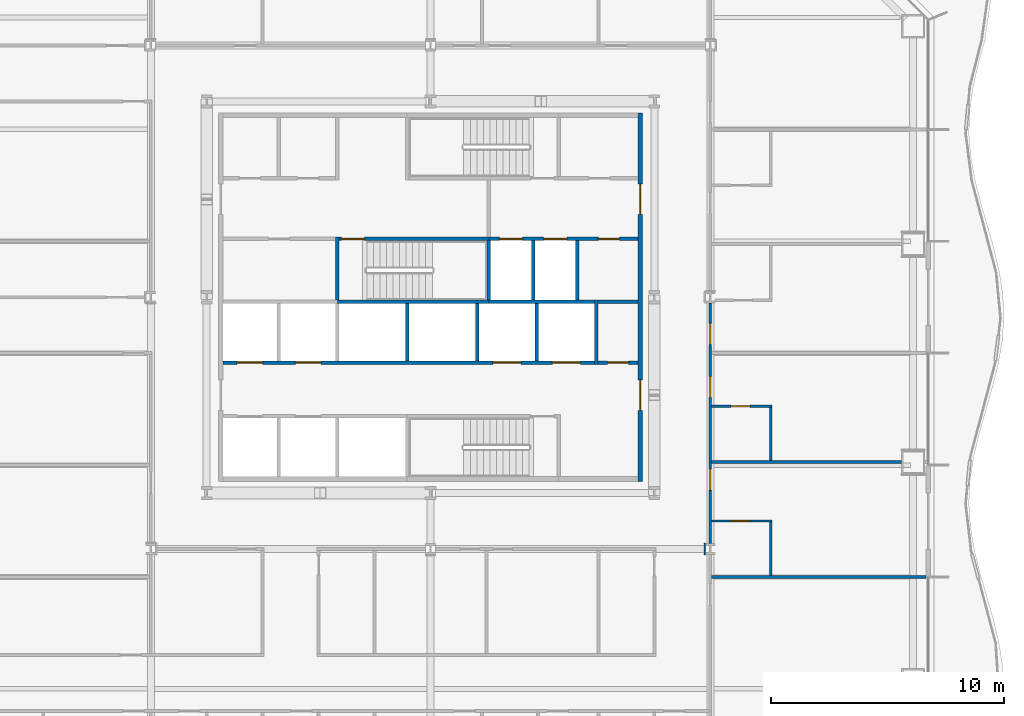
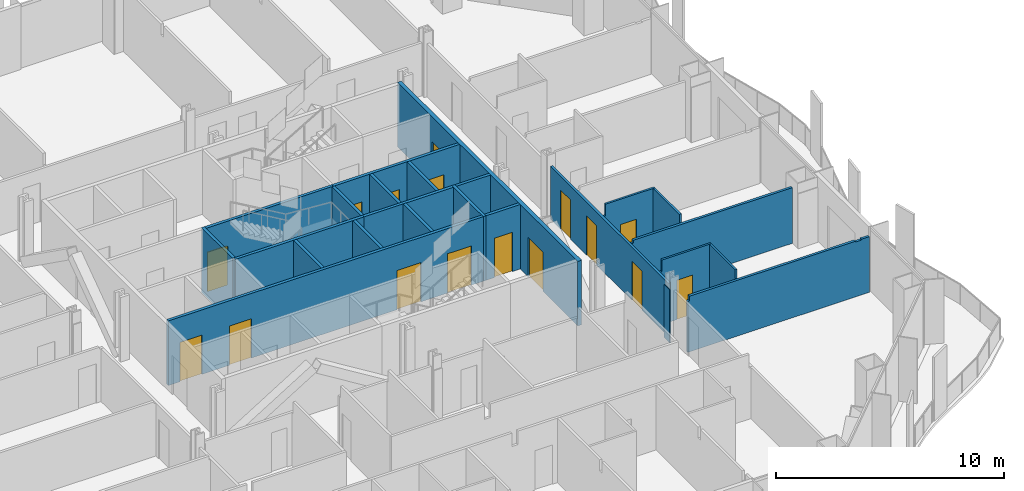
# One storey, part 10 of 21: 24 walls, 16 doors, 16 openings.
"""IFC4 building model written with IfcOpenShell, lengths in metres."""

from ifc_helpers import new_model, si_unit, direction, frame, frame_2d, origin, place, context, subcontext, project, spatial, polyline, rectangle, outline, extrude, material, layer, layer_set, type_object, element, fill, save


model = new_model("IFC4")

# Units and contexts
model_context = context("Model", 3, precision=1e-05, world=origin(), true_north=direction((0.0, 1.0)))
body_context = subcontext(model_context, "Body", "Model", "MODEL_VIEW")
ifc_project = project(units=[si_unit("LENGTHUNIT", "METRE"), si_unit("AREAUNIT", "SQUARE_METRE"), si_unit("VOLUMEUNIT", "CUBIC_METRE"), si_unit("PLANEANGLEUNIT", "RADIAN"), si_unit("MASSUNIT", "GRAM", prefix="KILO")], contexts=[model_context])

# Site, building, storey
site_placement = place(None, origin())
site = spatial("IfcSite", under=ifc_project, at=site_placement, CompositionType="ELEMENT")
building_placement = place(site_placement, origin())
building = spatial("IfcBuilding", under=site, at=building_placement, Name="Cairn Pilgrim Tower", CompositionType="ELEMENT")
storey_placement = place(building_placement, frame((0.0, 0.0, 43.800048828125)))
storey = spatial("IfcBuildingStorey", under=building, at=storey_placement, Name="L08", CompositionType="ELEMENT", Elevation=43.800048828125)

# Wall, openings, doors
ifc_material_1 = material(Name="Concrete C32/40", Category="concrete")
ifc_layer_1 = layer(ifc_material_1, 0.199951171875)
ifc_layer_set_1 = layer_set([ifc_layer_1], Name="CORE OUTER WALL 200 EI 120")
wall_type_1 = type_object("IfcWallType", Name="CORE OUTER WALL 200 EI 120", PredefinedType="SOLIDWALL", material=ifc_layer_set_1)
wall_1_placement = place(storey_placement, frame((16.199951171875, -5.5, 0.0), z_axis=(0.0, 0.0, 1.0), x_axis=(0.0, 1.0, 0.0)))
wall_1 = element("IfcWall", 1, at=wall_1_placement, inside=storey, type_object=wall_type_1, Name="CW:L08:V32", PredefinedType="SOLIDWALL", context=body_context, shape_type="SweptSolid", body=[
    extrude(rectangle(XDim=15.800048828125, YDim=0.199951171875, at=frame_2d((7.89990234375, 0.0))), origin(), (0.0, 0.0, 1.0), 3.449951171875),
])
opening_1_placement = place(wall_1_placement, frame((3.050048828125, 0.0, 0.0)))
opening_1 = element("IfcOpeningElement", 2, at=opening_1_placement, cuts=wall_1, Name="Opening CD-E1", PredefinedType="OPENING", context=body_context, shape_type="SweptSolid", body=[
    extrude(rectangle(XDim=1.300048828125, YDim=2.10009765625, at=frame_2d((0.64990234375, 1.050048828125))), frame((0.0, 0.10986328125, 0.0), z_axis=(0.0, -1.0, 0.0), x_axis=(1.0, 0.0, 0.0)), (0.0, 0.0, 1.0), 0.219970703125),
])
opening_2_placement = place(wall_1_placement, frame((11.449951171875, 0.0, 0.0)))
opening_2 = element("IfcOpeningElement", 3, at=opening_2_placement, cuts=wall_1, Name="Opening CD-E2", PredefinedType="OPENING", context=body_context, shape_type="SweptSolid", body=[
    extrude(rectangle(XDim=1.300048828125, YDim=2.10009765625, at=frame_2d((0.64990234375, 1.050048828125))), frame((0.0, 0.10986328125, 0.0), z_axis=(0.0, -1.0, 0.0), x_axis=(1.0, 0.0, 0.0)), (0.0, 0.0, 1.0), 0.219970703125),
])
ifc_material_2 = material(Name="Painted steel", Category="steel")
door_type_1 = type_object("IfcDoorType", Name="CORE LOBBY DOOR 1300x2100", OperationType="DOUBLE_DOOR_SINGLE_SWING", PredefinedType="DOOR", material=ifc_material_2)
door_1_placement = place(opening_1_placement, origin())
door_1 = element("IfcDoor", 4, at=door_1_placement, inside=storey, type_object=door_type_1, Name="CD-E1", OperationType="DOUBLE_DOOR_SINGLE_SWING", OverallHeight=2.10009765625, OverallWidth=1.300048828125, PredefinedType="DOOR", context=body_context, shape_type="SweptSolid", body=[
    extrude(rectangle(XDim=1.300048828125, YDim=2.10009765625, at=frame_2d((0.64990234375, 1.050048828125))), frame((0.0, 0.02490234375, 0.0), z_axis=(0.0, -1.0, 0.0), x_axis=(1.0, 0.0, 0.0)), (0.0, 0.0, 1.0), 0.050048828125),
])
fill(opening_1, door_1)
door_2_placement = place(opening_2_placement, origin())
door_2 = element("IfcDoor", 5, at=door_2_placement, inside=storey, type_object=door_type_1, Name="CD-E2", OperationType="DOUBLE_DOOR_SINGLE_SWING", OverallHeight=2.10009765625, OverallWidth=1.300048828125, PredefinedType="DOOR", context=body_context, shape_type="SweptSolid", body=[
    extrude(rectangle(XDim=1.300048828125, YDim=2.10009765625, at=frame_2d((0.64990234375, 1.050048828125))), frame((0.0, 0.02490234375, 0.0), z_axis=(0.0, -1.0, 0.0), x_axis=(1.0, 0.0, 0.0)), (0.0, 0.0, 1.0), 0.050048828125),
])
fill(opening_2, door_2)

# Wall, opening, door
ifc_layer_2 = layer(ifc_material_1, 0.14990234375)
ifc_layer_set_2 = layer_set([ifc_layer_2], Name="CORE PARTITION 150 EI 60")
wall_type_2 = type_object("IfcWallType", Name="CORE PARTITION 150 EI 60", PredefinedType="PARTITIONING", material=ifc_layer_set_2)
wall_2_placement = place(storey_placement, frame((14.375, -0.39990234375, 0.0), z_axis=(0.0, 0.0, 1.0), x_axis=(1.0, 0.0, 0.0)))
wall_2 = element("IfcWall", 6, at=wall_2_placement, inside=storey, type_object=wall_type_2, Name="CW:L08:H04", PredefinedType="PARTITIONING", context=body_context, shape_type="SweptSolid", body=[
    extrude(rectangle(XDim=1.72509765625, YDim=0.14990234375, at=frame_2d((0.862548828125, 0.0))), origin(), (0.0, 0.0, 1.0), 3.449951171875),
])
opening_3_placement = place(wall_2_placement, frame((0.425048828125, 0.0, 0.0)))
opening_3 = element("IfcOpeningElement", 7, at=opening_3_placement, cuts=wall_2, Name="Opening RD-R2E", PredefinedType="OPENING", context=body_context, shape_type="SweptSolid", body=[
    extrude(rectangle(XDim=0.89990234375, YDim=2.10009765625, at=frame_2d((0.449951171875, 1.050048828125))), frame((0.0, 0.0849609375, 0.0), z_axis=(0.0, -1.0, 0.0), x_axis=(1.0, 0.0, 0.0)), (0.0, 0.0, 1.0), 0.169921875),
])
door_type_2 = type_object("IfcDoorType", Name="SERVICE ROOM DOOR 900x2100", OperationType="SINGLE_SWING_LEFT", PredefinedType="DOOR", material=ifc_material_2)
door_3_placement = place(opening_3_placement, origin())
door_3 = element("IfcDoor", 8, at=door_3_placement, inside=storey, type_object=door_type_2, Name="RD-R2E", OperationType="SINGLE_SWING_RIGHT", OverallHeight=2.10009765625, OverallWidth=0.89990234375, PredefinedType="DOOR", context=body_context, shape_type="SweptSolid", body=[
    extrude(rectangle(XDim=0.89990234375, YDim=2.10009765625, at=frame_2d((0.449951171875, 1.050048828125))), frame((0.0, 0.02490234375, 0.0), z_axis=(0.0, -1.0, 0.0), x_axis=(1.0, 0.0, 0.0)), (0.0, 0.0, 1.0), 0.050048828125),
])
fill(opening_3, door_3)

# Wall
wall_3_placement = place(storey_placement, frame((14.375, 2.199951171875, 0.0), z_axis=(0.0, 0.0, 1.0), x_axis=(1.0, 0.0, 0.0)))
element("IfcWall", 9, at=wall_3_placement, inside=storey, type_object=wall_type_2, Name="CW:L08:H06", PredefinedType="PARTITIONING", context=body_context, shape_type="SweptSolid", body=[
    extrude(rectangle(XDim=1.72509765625, YDim=0.14990234375, at=frame_2d((0.862548828125, 0.0))), origin(), (0.0, 0.0, 1.0), 3.449951171875),
])

# Wall, openings, doors
ifc_layer_3 = layer(ifc_material_1, 0.14990234375)
ifc_layer_set_3 = layer_set([ifc_layer_3], Name="CORE SHAFT WALL 150 EI 120")
wall_type_3 = type_object("IfcWallType", Name="CORE SHAFT WALL 150 EI 120", PredefinedType="SOLIDWALL", material=ifc_layer_set_3)
wall_4_placement = place(storey_placement, frame((-1.699951171875, -0.39990234375, 0.0), z_axis=(0.0, 0.0, 1.0), x_axis=(1.0, 0.0, 0.0)))
wall_4 = element("IfcWall", 10, at=wall_4_placement, inside=storey, type_object=wall_type_3, Name="CW:L08:H03", PredefinedType="SOLIDWALL", context=body_context, shape_type="SweptSolid", body=[
    extrude(rectangle(XDim=15.925048828125, YDim=0.14990234375, at=frame_2d((7.96240234375, 0.0))), origin(), (0.0, 0.0, 1.0), 3.449951171875),
])
opening_4_placement = place(wall_4_placement, frame((0.60009765625, 0.0, 0.0)))
opening_4 = element("IfcOpeningElement", 11, at=opening_4_placement, cuts=wall_4, Name="Opening LD-LR3", PredefinedType="OPENING", context=body_context, shape_type="SweptSolid", body=[
    extrude(rectangle(XDim=1.10009765625, YDim=2.10009765625, at=frame_2d((0.550048828125, 1.050048828125))), frame((0.0, 0.0849609375, 0.0), z_axis=(0.0, -1.0, 0.0), x_axis=(1.0, 0.0, 0.0)), (0.0, 0.0, 1.0), 0.169921875),
])
opening_5_placement = place(wall_4_placement, frame((3.10009765625, 0.0, 0.0)))
opening_5 = element("IfcOpeningElement", 12, at=opening_5_placement, cuts=wall_4, Name="Opening LD-LR4", PredefinedType="OPENING", context=body_context, shape_type="SweptSolid", body=[
    extrude(rectangle(XDim=1.10009765625, YDim=2.10009765625, at=frame_2d((0.550048828125, 1.050048828125))), frame((0.0, 0.0849609375, 0.0), z_axis=(0.0, -1.0, 0.0), x_axis=(1.0, 0.0, 0.0)), (0.0, 0.0, 1.0), 0.169921875),
])
opening_6_placement = place(wall_4_placement, frame((11.574951171875, 0.0, 0.0)))
opening_6 = element("IfcOpeningElement", 13, at=opening_6_placement, cuts=wall_4, Name="Opening LD-SV1", PredefinedType="OPENING", context=body_context, shape_type="SweptSolid", body=[
    extrude(rectangle(XDim=1.199951171875, YDim=2.10009765625, at=frame_2d((0.60009765625, 1.050048828125))), frame((0.0, 0.0849609375, 0.0), z_axis=(0.0, -1.0, 0.0), x_axis=(1.0, 0.0, 0.0)), (0.0, 0.0, 1.0), 0.169921875),
])
opening_7_placement = place(wall_4_placement, frame((14.125, 0.0, 0.0)))
opening_7 = element("IfcOpeningElement", 14, at=opening_7_placement, cuts=wall_4, Name="Opening LD-SV2", PredefinedType="OPENING", context=body_context, shape_type="SweptSolid", body=[
    extrude(rectangle(XDim=1.199951171875, YDim=2.10009765625, at=frame_2d((0.60009765625, 1.050048828125))), frame((0.0, 0.0849609375, 0.0), z_axis=(0.0, -1.0, 0.0), x_axis=(1.0, 0.0, 0.0)), (0.0, 0.0, 1.0), 0.169921875),
])
ifc_material_3 = material(Name="Stainless steel", Category="steel")
door_type_3 = type_object("IfcDoorType", Name="LIFT LANDING DOOR 1100x2100", OperationType="DOUBLE_DOOR_SLIDING", PredefinedType="DOOR", material=ifc_material_3)
door_4_placement = place(opening_4_placement, origin())
door_4 = element("IfcDoor", 15, at=door_4_placement, inside=storey, type_object=door_type_3, Name="LANDING DOOR LR3", OperationType="DOUBLE_DOOR_SLIDING", OverallHeight=2.10009765625, OverallWidth=1.10009765625, PredefinedType="DOOR", context=body_context, shape_type="SweptSolid", body=[
    extrude(rectangle(XDim=1.10009765625, YDim=2.10009765625, at=frame_2d((0.550048828125, 1.050048828125))), frame((0.0, 0.02490234375, 0.0), z_axis=(0.0, -1.0, 0.0), x_axis=(1.0, 0.0, 0.0)), (0.0, 0.0, 1.0), 0.050048828125),
])
fill(opening_4, door_4)
door_5_placement = place(opening_5_placement, origin())
door_5 = element("IfcDoor", 16, at=door_5_placement, inside=storey, type_object=door_type_3, Name="LANDING DOOR LR4", OperationType="DOUBLE_DOOR_SLIDING", OverallHeight=2.10009765625, OverallWidth=1.10009765625, PredefinedType="DOOR", context=body_context, shape_type="SweptSolid", body=[
    extrude(rectangle(XDim=1.10009765625, YDim=2.10009765625, at=frame_2d((0.550048828125, 1.050048828125))), frame((0.0, 0.02490234375, 0.0), z_axis=(0.0, -1.0, 0.0), x_axis=(1.0, 0.0, 0.0)), (0.0, 0.0, 1.0), 0.050048828125),
])
fill(opening_5, door_5)
door_type_4 = type_object("IfcDoorType", Name="LIFT LANDING DOOR 1200x2100", OperationType="DOUBLE_DOOR_SLIDING", PredefinedType="DOOR", material=ifc_material_3)
door_6_placement = place(opening_6_placement, origin())
door_6 = element("IfcDoor", 17, at=door_6_placement, inside=storey, type_object=door_type_4, Name="LANDING DOOR SV1", OperationType="DOUBLE_DOOR_SLIDING", OverallHeight=2.10009765625, OverallWidth=1.199951171875, PredefinedType="DOOR", context=body_context, shape_type="SweptSolid", body=[
    extrude(rectangle(XDim=1.199951171875, YDim=2.10009765625, at=frame_2d((0.60009765625, 1.050048828125))), frame((0.0, 0.02490234375, 0.0), z_axis=(0.0, -1.0, 0.0), x_axis=(1.0, 0.0, 0.0)), (0.0, 0.0, 1.0), 0.050048828125),
])
fill(opening_6, door_6)
door_7_placement = place(opening_7_placement, origin())
door_7 = element("IfcDoor", 18, at=door_7_placement, inside=storey, type_object=door_type_4, Name="LANDING DOOR SV2", OperationType="DOUBLE_DOOR_SLIDING", OverallHeight=2.10009765625, OverallWidth=1.199951171875, PredefinedType="DOOR", context=body_context, shape_type="SweptSolid", body=[
    extrude(rectangle(XDim=1.199951171875, YDim=2.10009765625, at=frame_2d((0.60009765625, 1.050048828125))), frame((0.0, 0.02490234375, 0.0), z_axis=(0.0, -1.0, 0.0), x_axis=(1.0, 0.0, 0.0)), (0.0, 0.0, 1.0), 0.050048828125),
])
fill(opening_7, door_7)

# Wall
wall_5_placement = place(storey_placement, frame((9.699951171875, 2.199951171875, 0.0), z_axis=(0.0, 0.0, 1.0), x_axis=(1.0, 0.0, 0.0)))
element("IfcWall", 19, at=wall_5_placement, inside=storey, type_object=wall_type_3, Name="CW:L08:H05-3", PredefinedType="SOLIDWALL", context=body_context, shape_type="SweptSolid", body=[
    extrude(rectangle(XDim=4.525146484375, YDim=0.14990234375, at=frame_2d((2.2626953125, 0.0))), origin(), (0.0, 0.0, 1.0), 3.449951171875),
])

# Wall, openings, doors
wall_6_placement = place(storey_placement, frame((9.699951171875, 4.89990234375, 0.0), z_axis=(0.0, 0.0, 1.0), x_axis=(1.0, 0.0, 0.0)))
wall_6 = element("IfcWall", 20, at=wall_6_placement, inside=storey, type_object=wall_type_3, Name="CW:L08:H08-2", PredefinedType="SOLIDWALL", context=body_context, shape_type="SweptSolid", body=[
    extrude(rectangle(XDim=6.400146484375, YDim=0.14990234375, at=frame_2d((3.2001953125, 0.0))), origin(), (0.0, 0.0, 1.0), 3.449951171875),
])
opening_8_placement = place(wall_6_placement, frame((0.449951171875, 0.0, 0.0)))
opening_8 = element("IfcOpeningElement", 21, at=opening_8_placement, cuts=wall_6, Name="Opening LD-FF1", PredefinedType="OPENING", context=body_context, shape_type="SweptSolid", body=[
    extrude(rectangle(XDim=1.0, YDim=2.10009765625, at=frame_2d((0.5, 1.050048828125))), frame((0.0, 0.0849609375, 0.0), z_axis=(0.0, -1.0, 0.0), x_axis=(1.0, 0.0, 0.0)), (0.0, 0.0, 1.0), 0.169921875),
])
opening_9_placement = place(wall_6_placement, frame((2.35009765625, 0.0, 0.0)))
opening_9 = element("IfcOpeningElement", 22, at=opening_9_placement, cuts=wall_6, Name="Opening LD-FF2", PredefinedType="OPENING", context=body_context, shape_type="SweptSolid", body=[
    extrude(rectangle(XDim=1.0, YDim=2.10009765625, at=frame_2d((0.5, 1.050048828125))), frame((0.0, 0.0849609375, 0.0), z_axis=(0.0, -1.0, 0.0), x_axis=(1.0, 0.0, 0.0)), (0.0, 0.0, 1.0), 0.169921875),
])
opening_10_placement = place(wall_6_placement, frame((4.699951171875, 0.0, 0.0)))
opening_10 = element("IfcOpeningElement", 23, at=opening_10_placement, cuts=wall_6, Name="Opening RD-R3E", PredefinedType="OPENING", context=body_context, shape_type="SweptSolid", body=[
    extrude(rectangle(XDim=0.89990234375, YDim=2.10009765625, at=frame_2d((0.449951171875, 1.050048828125))), frame((0.0, 0.0849609375, 0.0), z_axis=(0.0, -1.0, 0.0), x_axis=(1.0, 0.0, 0.0)), (0.0, 0.0, 1.0), 0.169921875),
])
door_type_5 = type_object("IfcDoorType", Name="LIFT LANDING DOOR FIRE 1000x2100", OperationType="DOUBLE_DOOR_SLIDING", PredefinedType="DOOR", material=ifc_material_3)
door_8_placement = place(opening_8_placement, origin())
door_8 = element("IfcDoor", 24, at=door_8_placement, inside=storey, type_object=door_type_5, Name="LANDING DOOR FF1", OperationType="DOUBLE_DOOR_SLIDING", OverallHeight=2.10009765625, OverallWidth=1.0, PredefinedType="DOOR", context=body_context, shape_type="SweptSolid", body=[
    extrude(rectangle(XDim=1.0, YDim=2.10009765625, at=frame_2d((0.5, 1.050048828125))), frame((0.0, 0.02490234375, 0.0), z_axis=(0.0, -1.0, 0.0), x_axis=(1.0, 0.0, 0.0)), (0.0, 0.0, 1.0), 0.050048828125),
])
fill(opening_8, door_8)
door_9_placement = place(opening_9_placement, origin())
door_9 = element("IfcDoor", 25, at=door_9_placement, inside=storey, type_object=door_type_5, Name="LANDING DOOR FF2", OperationType="DOUBLE_DOOR_SLIDING", OverallHeight=2.10009765625, OverallWidth=1.0, PredefinedType="DOOR", context=body_context, shape_type="SweptSolid", body=[
    extrude(rectangle(XDim=1.0, YDim=2.10009765625, at=frame_2d((0.5, 1.050048828125))), frame((0.0, 0.02490234375, 0.0), z_axis=(0.0, -1.0, 0.0), x_axis=(1.0, 0.0, 0.0)), (0.0, 0.0, 1.0), 0.050048828125),
])
fill(opening_9, door_9)
door_10_placement = place(opening_10_placement, origin())
door_10 = element("IfcDoor", 26, at=door_10_placement, inside=storey, type_object=door_type_2, Name="RD-R3E", OperationType="SINGLE_SWING_LEFT", OverallHeight=2.10009765625, OverallWidth=0.89990234375, PredefinedType="DOOR", context=body_context, shape_type="SweptSolid", body=[
    extrude(rectangle(XDim=0.89990234375, YDim=2.10009765625, at=frame_2d((0.449951171875, 1.050048828125))), frame((0.0, 0.02490234375, 0.0), z_axis=(0.0, -1.0, 0.0), x_axis=(1.0, 0.0, 0.0)), (0.0, 0.0, 1.0), 0.050048828125),
])
fill(opening_10, door_10)

# Walls
for number, where, z_axis, x_axis, name in (
    (27, (6.199951171875, -0.324951171875, 0.0), (0.0, 0.0, 1.0), (0.0, 1.0, 0.0), "CW:L08:V21"),
    (28, (9.199951171875, -0.324951171875, 0.0), (0.0, 0.0, 1.0), (0.0, 1.0, 0.0), "CW:L08:V23"),
):
    element("IfcWall", number, at=place(storey_placement, frame(where, z_axis=z_axis, x_axis=x_axis)), inside=storey, type_object=wall_type_3, Name=name, PredefinedType="SOLIDWALL", context=body_context, shape_type="SweptSolid", body=[
        extrude(rectangle(XDim=2.449951171875, YDim=0.14990234375, at=frame_2d((1.22509765625, 0.0))), origin(), (0.0, 0.0, 1.0), 3.449951171875),
    ])
wall_7_placement = place(storey_placement, frame((11.60009765625, 2.27490234375, 0.0), z_axis=(0.0, 0.0, 1.0), x_axis=(0.0, 1.0, 0.0)))
element("IfcWall", 29, at=wall_7_placement, inside=storey, type_object=wall_type_3, Name="CW:L08:V26", PredefinedType="SOLIDWALL", context=body_context, shape_type="SweptSolid", body=[
    extrude(rectangle(XDim=2.550048828125, YDim=0.14990234375, at=frame_2d((1.27490234375, 0.0))), origin(), (0.0, 0.0, 1.0), 3.449951171875),
])
wall_8_placement = place(storey_placement, frame((11.75, -0.324951171875, 0.0), z_axis=(0.0, 0.0, 1.0), x_axis=(0.0, 1.0, 0.0)))
element("IfcWall", 30, at=wall_8_placement, inside=storey, type_object=wall_type_3, Name="CW:L08:V27", PredefinedType="SOLIDWALL", context=body_context, shape_type="SweptSolid", body=[
    extrude(rectangle(XDim=2.449951171875, YDim=0.14990234375, at=frame_2d((1.22509765625, 0.0))), origin(), (0.0, 0.0, 1.0), 3.449951171875),
])
wall_9_placement = place(storey_placement, frame((13.5, 2.27490234375, 0.0), z_axis=(0.0, 0.0, 1.0), x_axis=(0.0, 1.0, 0.0)))
element("IfcWall", 31, at=wall_9_placement, inside=storey, type_object=wall_type_3, Name="CW:L08:V30", PredefinedType="SOLIDWALL", context=body_context, shape_type="SweptSolid", body=[
    extrude(rectangle(XDim=2.550048828125, YDim=0.14990234375, at=frame_2d((1.27490234375, 0.0))), origin(), (0.0, 0.0, 1.0), 3.449951171875),
])
wall_10_placement = place(storey_placement, frame((14.300048828125, -0.47509765625, 0.0), z_axis=(0.0, 0.0, 1.0), x_axis=(0.0, 1.0, 0.0)))
element("IfcWall", 32, at=wall_10_placement, inside=storey, type_object=wall_type_3, Name="CW:L08:V31", PredefinedType="SOLIDWALL", context=body_context, shape_type="SweptSolid", body=[
    extrude(rectangle(XDim=2.75, YDim=0.14990234375, at=frame_2d((1.375, 0.0))), origin(), (0.0, 0.0, 1.0), 3.449951171875),
])
ifc_material_4 = material(Name="Gypsum partition")
ifc_layer_4 = layer(ifc_material_4, 0.10009765625)
ifc_layer_set_4 = layer_set([ifc_layer_4], Name="PARTITION 100 DRYWALL")
wall_type_4 = type_object("IfcWallType", Name="PARTITION 100 DRYWALL", PredefinedType="PARTITIONING", material=ifc_layer_set_4)
wall_11_placement = place(storey_placement, frame((21.800048828125, -9.53759765625, 0.0), z_axis=(0.0, 0.0, 1.0), x_axis=(0.0, 1.0, 0.0)))
element("IfcWall", 33, at=wall_11_placement, inside=storey, type_object=wall_type_4, Name="PARTITION W038", PredefinedType="PARTITIONING", context=body_context, shape_type="SweptSolid", body=[
    extrude(outline(polyline([(0.0, 0.0), (2.28759765625, 0.0), (2.28759765625, 3.449951171875), (0.032470703125, 3.449951171875), (0.030517578125, 2.97998046875), (0.0, 2.97998046875), (0.0, 0.0)])), frame((0.0, 0.050048828125, 0.0), z_axis=(0.0, -1.0, 0.0), x_axis=(1.0, 0.0, 0.0)), (0.0, 0.0, 1.0), 0.10009765625),
])

# Wall, opening, door
wall_12_placement = place(storey_placement, frame((19.262451171875, -7.199951171875, 0.0), z_axis=(0.0, 0.0, 1.0), x_axis=(1.0, 0.0, 0.0)))
wall_12 = element("IfcWall", 34, at=wall_12_placement, inside=storey, type_object=wall_type_4, Name="PARTITION W045", PredefinedType="PARTITIONING", context=body_context, shape_type="SweptSolid", body=[
    extrude(outline(polyline([(0.0, 0.0), (2.587646484375, 0.0), (2.58740234375, 3.449951171875), (0.08740234375, 3.449951171875), (0.08544921875, 2.829833984375), (0.0, 2.829833984375), (0.0, 0.0)])), frame((0.0, 0.050048828125, 0.0), z_axis=(0.0, -1.0, 0.0), x_axis=(1.0, 0.0, 0.0)), (0.0, 0.0, 1.0), 0.10009765625),
])
opening_11_placement = place(wall_12_placement, frame((0.83740234375, 0.0, 0.0)))
opening_11 = element("IfcOpeningElement", 35, at=opening_11_placement, cuts=wall_12, Name="Opening 0822E", PredefinedType="OPENING", context=body_context, shape_type="SweptSolid", body=[
    extrude(rectangle(XDim=0.800048828125, YDim=2.10009765625, at=frame_2d((0.39990234375, 1.050048828125))), frame((0.0, 0.06005859375, 0.0), z_axis=(0.0, -1.0, 0.0), x_axis=(1.0, 0.0, 0.0)), (0.0, 0.0, 1.0), 0.1201171875),
])
ifc_material_5 = material(Name="Timber door leaf", Category="wood")
door_type_6 = type_object("IfcDoorType", Name="DOOR 800x2100", OperationType="NOTDEFINED", PredefinedType="DOOR", material=ifc_material_5)
door_11_placement = place(opening_11_placement, frame((0.800048828125, 0.0, 0.0), z_axis=(0.0, 0.0, 1.0), x_axis=(-1.0, 0.0, 0.0)))
door_11 = element("IfcDoor", 36, at=door_11_placement, inside=storey, type_object=door_type_6, Name="DOOR 0822E", OperationType="SINGLE_SWING_RIGHT", OverallHeight=2.10009765625, OverallWidth=0.800048828125, PredefinedType="DOOR", context=body_context, shape_type="SweptSolid", body=[
    extrude(rectangle(XDim=0.800048828125, YDim=2.10009765625, at=frame_2d((0.39990234375, 1.050048828125))), frame((0.0, 0.02490234375, 0.0), z_axis=(0.0, -1.0, 0.0), x_axis=(1.0, 0.0, 0.0)), (0.0, 0.0, 1.0), 0.050048828125),
])
fill(opening_11, door_11)

# Wall
wall_13_placement = place(storey_placement, frame((21.800048828125, -4.613525390625, 0.0), z_axis=(0.0, 0.0, 1.0), x_axis=(0.0, 1.0, 0.0)))
element("IfcWall", 37, at=wall_13_placement, inside=storey, type_object=wall_type_4, Name="PARTITION W051", PredefinedType="PARTITIONING", context=body_context, shape_type="SweptSolid", body=[
    extrude(rectangle(XDim=2.28759765625, YDim=0.10009765625, at=frame_2d((1.143798828125, 0.0))), origin(), (0.0, 0.0, 1.0), 3.449951171875),
])

# Wall, opening, door
wall_14_placement = place(storey_placement, frame((19.262451171875, -2.27587890625, 0.0), z_axis=(0.0, 0.0, 1.0), x_axis=(1.0, 0.0, 0.0)))
wall_14 = element("IfcWall", 38, at=wall_14_placement, inside=storey, type_object=wall_type_4, Name="PARTITION W052", PredefinedType="PARTITIONING", context=body_context, shape_type="SweptSolid", body=[
    extrude(outline(polyline([(0.0, 0.0), (2.587646484375, 0.0), (2.58740234375, 3.449951171875), (0.08740234375, 3.449951171875), (0.08544921875, 2.829833984375), (0.0, 2.829833984375), (0.0, 0.0)])), frame((0.0, 0.050048828125, 0.0), z_axis=(0.0, -1.0, 0.0), x_axis=(1.0, 0.0, 0.0)), (0.0, 0.0, 1.0), 0.10009765625),
])
opening_12_placement = place(wall_14_placement, frame((0.83740234375, 0.0, 0.0)))
opening_12 = element("IfcOpeningElement", 39, at=opening_12_placement, cuts=wall_14, Name="Opening 0823E", PredefinedType="OPENING", context=body_context, shape_type="SweptSolid", body=[
    extrude(rectangle(XDim=0.800048828125, YDim=2.10009765625, at=frame_2d((0.39990234375, 1.050048828125))), frame((0.0, 0.06005859375, 0.0), z_axis=(0.0, -1.0, 0.0), x_axis=(1.0, 0.0, 0.0)), (0.0, 0.0, 1.0), 0.1201171875),
])
door_12_placement = place(opening_12_placement, frame((0.800048828125, 0.0, 0.0), z_axis=(0.0, 0.0, 1.0), x_axis=(-1.0, 0.0, 0.0)))
door_12 = element("IfcDoor", 40, at=door_12_placement, inside=storey, type_object=door_type_6, Name="DOOR 0823E", OperationType="SINGLE_SWING_RIGHT", OverallHeight=2.10009765625, OverallWidth=0.800048828125, PredefinedType="DOOR", context=body_context, shape_type="SweptSolid", body=[
    extrude(rectangle(XDim=0.800048828125, YDim=2.10009765625, at=frame_2d((0.39990234375, 1.050048828125))), frame((0.0, 0.02490234375, 0.0), z_axis=(0.0, -1.0, 0.0), x_axis=(1.0, 0.0, 0.0)), (0.0, 0.0, 1.0), 0.050048828125),
])
fill(opening_12, door_12)

# Wall
ifc_layer_5 = layer(ifc_material_4, 0.125)
ifc_layer_set_5 = layer_set([ifc_layer_5], Name="PARTITION 125 DRYWALL EI 60")
wall_type_5 = type_object("IfcWallType", Name="PARTITION 125 DRYWALL EI 60", PredefinedType="PARTITIONING", material=ifc_layer_set_5)
wall_15_placement = place(storey_placement, frame((19.262451171875, -9.60009765625, 0.0), z_axis=(0.0, 0.0, 1.0), x_axis=(1.0, 0.0, 0.0)))
element("IfcWall", 41, at=wall_15_placement, inside=storey, type_object=wall_type_5, Name="PARTITION W037", PredefinedType="PARTITIONING", context=body_context, shape_type="SweptSolid", body=[
    extrude(outline(polyline([(0.0, 0.0), (9.1875, 0.0), (9.1875, 2.97998046875), (8.78759765625, 2.97998046875), (8.785400390625, 2.929931640625), (8.487548828125, 2.929931640625), (8.485595703125, 2.97998046875), (0.08740234375, 2.97998046875), (0.08544921875, 2.72998046875), (0.0, 2.72998046875), (0.0, 0.0)])), frame((0.0, 0.0625, 0.0), z_axis=(0.0, -1.0, 0.0), x_axis=(1.0, 0.0, 0.0)), (0.0, 0.0, 1.0), 0.125),
])

# Wall, openings, doors
wall_16_placement = place(storey_placement, frame((19.199951171875, -8.1630859375, 0.0), z_axis=(0.0, 0.0, 1.0), x_axis=(0.0, 1.0, 0.0)))
wall_16 = element("IfcWall", 42, at=wall_16_placement, inside=storey, type_object=wall_type_5, Name="PARTITION W044", PredefinedType="PARTITIONING", context=body_context, shape_type="SweptSolid", body=[
    extrude(rectangle(XDim=10.326171875, YDim=0.125, at=frame_2d((5.1630859375, 0.0))), origin(), (0.0, 0.0, 1.0), 2.829833984375),
])
opening_13_placement = place(wall_16_placement, frame((2.287109375, 0.0, 0.0)))
opening_13 = element("IfcOpeningElement", 43, at=opening_13_placement, cuts=wall_16, Name="Opening 0822", PredefinedType="OPENING", context=body_context, shape_type="SweptSolid", body=[
    extrude(rectangle(XDim=0.89990234375, YDim=2.10009765625, at=frame_2d((0.449951171875, 1.050048828125))), frame((0.0, 0.072509765625, 0.0), z_axis=(0.0, -1.0, 0.0), x_axis=(1.0, 0.0, 0.0)), (0.0, 0.0, 1.0), 0.14501953125),
])
opening_14_placement = place(wall_16_placement, frame((6.262939453125, 0.0, 0.0)))
opening_14 = element("IfcOpeningElement", 44, at=opening_14_placement, cuts=wall_16, Name="Opening 0823", PredefinedType="OPENING", context=body_context, shape_type="SweptSolid", body=[
    extrude(rectangle(XDim=0.89990234375, YDim=2.10009765625, at=frame_2d((0.449951171875, 1.050048828125))), frame((0.0, 0.072509765625, 0.0), z_axis=(0.0, -1.0, 0.0), x_axis=(1.0, 0.0, 0.0)), (0.0, 0.0, 1.0), 0.14501953125),
])
opening_15_placement = place(wall_16_placement, frame((8.5390625, 0.0, 0.0)))
opening_15 = element("IfcOpeningElement", 45, at=opening_15_placement, cuts=wall_16, Name="Opening 0824", PredefinedType="OPENING", context=body_context, shape_type="SweptSolid", body=[
    extrude(rectangle(XDim=0.89990234375, YDim=2.10009765625, at=frame_2d((0.449951171875, 1.050048828125))), frame((0.0, 0.072509765625, 0.0), z_axis=(0.0, -1.0, 0.0), x_axis=(1.0, 0.0, 0.0)), (0.0, 0.0, 1.0), 0.14501953125),
])
ifc_material_6 = material(Name="Steel-faced fire door leaf", Category="steel")
door_type_7 = type_object("IfcDoorType", Name="FIRE DOOR 900x2100 FD30S", OperationType="NOTDEFINED", PredefinedType="DOOR", material=ifc_material_6)
door_13_placement = place(opening_13_placement, frame((0.89990234375, 0.0, 0.0), z_axis=(0.0, 0.0, 1.0), x_axis=(-1.0, 0.0, 0.0)))
door_13 = element("IfcDoor", 46, at=door_13_placement, inside=storey, type_object=door_type_7, Name="DOOR 0822", OperationType="SINGLE_SWING_LEFT", OverallHeight=2.10009765625, OverallWidth=0.89990234375, PredefinedType="DOOR", context=body_context, shape_type="SweptSolid", body=[
    extrude(rectangle(XDim=0.89990234375, YDim=2.10009765625, at=frame_2d((0.449951171875, 1.050048828125))), frame((0.0, 0.02490234375, 0.0), z_axis=(0.0, -1.0, 0.0), x_axis=(1.0, 0.0, 0.0)), (0.0, 0.0, 1.0), 0.050048828125),
])
fill(opening_13, door_13)
door_14_placement = place(opening_14_placement, frame((0.89990234375, 0.0, 0.0), z_axis=(0.0, 0.0, 1.0), x_axis=(-1.0, 0.0, 0.0)))
door_14 = element("IfcDoor", 47, at=door_14_placement, inside=storey, type_object=door_type_7, Name="DOOR 0823", OperationType="SINGLE_SWING_LEFT", OverallHeight=2.10009765625, OverallWidth=0.89990234375, PredefinedType="DOOR", context=body_context, shape_type="SweptSolid", body=[
    extrude(rectangle(XDim=0.89990234375, YDim=2.10009765625, at=frame_2d((0.449951171875, 1.050048828125))), frame((0.0, 0.02490234375, 0.0), z_axis=(0.0, -1.0, 0.0), x_axis=(1.0, 0.0, 0.0)), (0.0, 0.0, 1.0), 0.050048828125),
])
fill(opening_14, door_14)
door_15_placement = place(opening_15_placement, frame((0.89990234375, 0.0, 0.0), z_axis=(0.0, 0.0, 1.0), x_axis=(-1.0, 0.0, 0.0)))
door_15 = element("IfcDoor", 48, at=door_15_placement, inside=storey, type_object=door_type_7, Name="DOOR 0824", OperationType="SINGLE_SWING_LEFT", OverallHeight=2.10009765625, OverallWidth=0.89990234375, PredefinedType="DOOR", context=body_context, shape_type="SweptSolid", body=[
    extrude(rectangle(XDim=0.89990234375, YDim=2.10009765625, at=frame_2d((0.449951171875, 1.050048828125))), frame((0.0, 0.02490234375, 0.0), z_axis=(0.0, -1.0, 0.0), x_axis=(1.0, 0.0, 0.0)), (0.0, 0.0, 1.0), 0.050048828125),
])
fill(opening_15, door_15)

# Walls
wall_17_placement = place(storey_placement, frame((19.262451171875, -4.676025390625, 0.0), z_axis=(0.0, 0.0, 1.0), x_axis=(1.0, 0.0, 0.0)))
element("IfcWall", 49, at=wall_17_placement, inside=storey, type_object=wall_type_5, Name="PARTITION W049", PredefinedType="PARTITIONING", context=body_context, shape_type="SweptSolid", body=[
    extrude(outline(polyline([(0.0, 0.0), (8.137451171875, 0.0), (8.137451171875, 2.97998046875), (0.08740234375, 2.97998046875), (0.08544921875, 2.829833984375), (0.0, 2.829833984375), (0.0, 0.0)])), frame((0.0, 0.0625, 0.0), z_axis=(0.0, -1.0, 0.0), x_axis=(1.0, 0.0, 0.0)), (0.0, 0.0, 1.0), 0.125),
])
ifc_layer_6 = layer(ifc_material_4, 0.050048828125)
ifc_layer_set_6 = layer_set([ifc_layer_6], Name="PARTITION 50 DRYWALL EI 60")
wall_type_6 = type_object("IfcWallType", Name="PARTITION 50 DRYWALL EI 60", PredefinedType="PARTITIONING", material=ifc_layer_set_6)
wall_18_placement = place(storey_placement, frame((18.962890625, -8.636962890625, 0.0), z_axis=(0.0, 0.0, 1.0), x_axis=(0.0, 1.0, 0.0)))
element("IfcWall", 50, at=wall_18_placement, inside=storey, type_object=wall_type_6, Name="COLUMN CASING WC09", PredefinedType="PARTITIONING", context=body_context, shape_type="SweptSolid", body=[
    extrude(rectangle(XDim=0.473876953125, YDim=0.050048828125, at=frame_2d((0.23681640625, 0.0))), origin(), (0.0, 0.0, 1.0), 2.829833984375),
])
ifc_material_7 = material(Name="Concrete C35/45", Category="concrete")
ifc_layer_7 = layer(ifc_material_7, 0.14990234375)
ifc_layer_set_7 = layer_set([ifc_layer_7], Name="STAIR SHAFT WALL 150 EI 120")
wall_type_7 = type_object("IfcWallType", Name="STAIR SHAFT WALL 150 EI 120", PredefinedType="SOLIDWALL", material=ifc_layer_set_7)
wall_19_placement = place(storey_placement, frame((3.199951171875, 2.199951171875, 0.0), z_axis=(0.0, 0.0, 1.0), x_axis=(1.0, 0.0, 0.0)))
element("IfcWall", 51, at=wall_19_placement, inside=storey, type_object=wall_type_7, Name="CW:L08:H05-2", PredefinedType="SOLIDWALL", context=body_context, shape_type="SweptSolid", body=[
    extrude(rectangle(XDim=6.5, YDim=0.14990234375, at=frame_2d((3.25, 0.0))), origin(), (0.0, 0.0, 1.0), 3.449951171875),
])

# Wall, opening, door
wall_20_placement = place(storey_placement, frame((3.27490234375, 4.89990234375, 0.0), z_axis=(0.0, 0.0, 1.0), x_axis=(1.0, 0.0, 0.0)))
wall_20 = element("IfcWall", 52, at=wall_20_placement, inside=storey, type_object=wall_type_7, Name="CW:L08:H08-1", PredefinedType="SOLIDWALL", context=body_context, shape_type="SweptSolid", body=[
    extrude(rectangle(XDim=6.425048828125, YDim=0.14990234375, at=frame_2d((3.21240234375, 0.0))), origin(), (0.0, 0.0, 1.0), 3.449951171875),
])
opening_16_placement = place(wall_20_placement, frame((0.10009765625, 0.0, 0.0)))
opening_16 = element("IfcOpeningElement", 53, at=opening_16_placement, cuts=wall_20, Name="Opening SD-B", PredefinedType="OPENING", context=body_context, shape_type="SweptSolid", body=[
    extrude(rectangle(XDim=1.0, YDim=2.10009765625, at=frame_2d((0.5, 1.050048828125))), frame((0.0, 0.0849609375, 0.0), z_axis=(0.0, -1.0, 0.0), x_axis=(1.0, 0.0, 0.0)), (0.0, 0.0, 1.0), 0.169921875),
])
door_type_8 = type_object("IfcDoorType", Name="STAIR DOOR FD60S 1000x2100", OperationType="SINGLE_SWING_LEFT", PredefinedType="DOOR", material=ifc_material_2)
door_16_placement = place(opening_16_placement, origin())
door_16 = element("IfcDoor", 54, at=door_16_placement, inside=storey, type_object=door_type_8, Name="SD-B", OperationType="SINGLE_SWING_RIGHT", OverallHeight=2.10009765625, OverallWidth=1.0, PredefinedType="DOOR", context=body_context, shape_type="SweptSolid", body=[
    extrude(rectangle(XDim=1.0, YDim=2.10009765625, at=frame_2d((0.5, 1.050048828125))), frame((0.0, 0.02490234375, 0.0), z_axis=(0.0, -1.0, 0.0), x_axis=(1.0, 0.0, 0.0)), (0.0, 0.0, 1.0), 0.050048828125),
])
fill(opening_16, door_16)

# Walls
wall_21_placement = place(storey_placement, frame((3.199951171875, 2.27490234375, 0.0), z_axis=(0.0, 0.0, 1.0), x_axis=(0.0, 1.0, 0.0)))
element("IfcWall", 55, at=wall_21_placement, inside=storey, type_object=wall_type_7, Name="CW:L08:V18", PredefinedType="SOLIDWALL", context=body_context, shape_type="SweptSolid", body=[
    extrude(rectangle(XDim=2.7001953125, YDim=0.14990234375, at=frame_2d((1.35009765625, 0.0))), origin(), (0.0, 0.0, 1.0), 3.449951171875),
])
wall_22_placement = place(storey_placement, frame((9.699951171875, 2.27490234375, 0.0), z_axis=(0.0, 0.0, 1.0), x_axis=(0.0, 1.0, 0.0)))
element("IfcWall", 56, at=wall_22_placement, inside=storey, type_object=wall_type_7, Name="CW:L08:V24", PredefinedType="SOLIDWALL", context=body_context, shape_type="SweptSolid", body=[
    extrude(rectangle(XDim=2.550048828125, YDim=0.14990234375, at=frame_2d((1.27490234375, 0.0))), origin(), (0.0, 0.0, 1.0), 3.449951171875),
])

save(model, "model.ifc")
